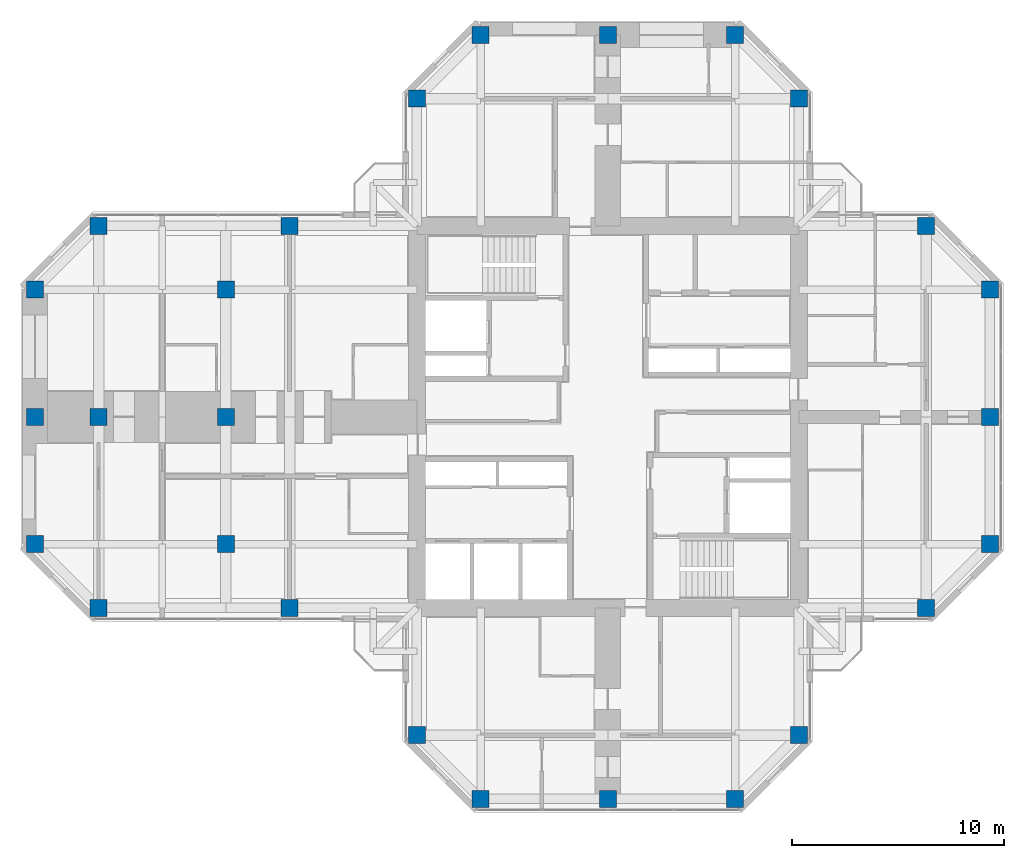
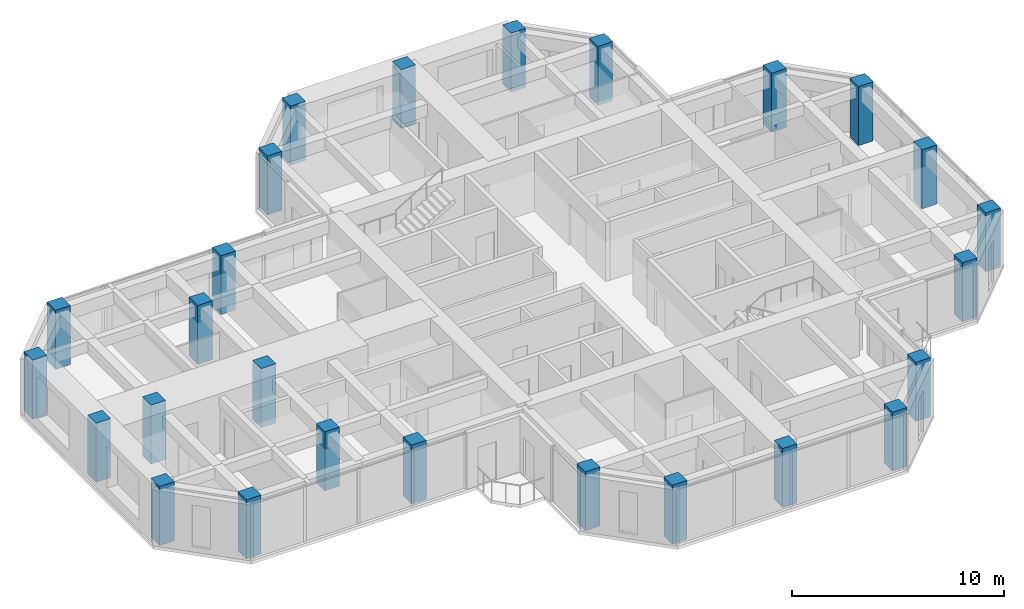
# One storey, part 1 of 13: 26 columns.
"""IFC4 building model written with IfcOpenShell, lengths in metres."""

from ifc_helpers import new_model, si_unit, direction, frame, origin, origin_2d, place, context, subcontext, project, spatial, rectangle, extrude, material, material_profile, profile_set, type_object, element, save


model = new_model("IFC4")

# Units and contexts
model_context = context("Model", 3, precision=1e-05, world=origin(), true_north=direction((0.0, 1.0)))
body_context = subcontext(model_context, "Body", "Model", "MODEL_VIEW")
ifc_project = project(units=[si_unit("LENGTHUNIT", "METRE"), si_unit("AREAUNIT", "SQUARE_METRE"), si_unit("VOLUMEUNIT", "CUBIC_METRE"), si_unit("PLANEANGLEUNIT", "RADIAN"), si_unit("MASSUNIT", "GRAM", prefix="KILO")], contexts=[model_context])

# Site, building, storey
site_placement = place(None, origin())
site = spatial("IfcSite", under=ifc_project, at=site_placement, CompositionType="ELEMENT")
building_placement = place(site_placement, origin())
building = spatial("IfcBuilding", under=site, at=building_placement, Name="Torre Cruceta", CompositionType="ELEMENT")
storey_placement = place(building_placement, frame((0.0, 0.0, 242.5)))
storey = spatial("IfcBuildingStorey", under=building, at=storey_placement, Name="L62", CompositionType="ELEMENT", Elevation=242.5)

# Columns
ifc_material = material(Name="Concrete G60 (fck 60 MPa)", Category="concrete")
ifc_material_profile = material_profile(ifc_material, rectangle(XDim=0.800048828125, YDim=0.800048828125, at=origin_2d()), Name="RC 800X800")
ifc_profile_set = profile_set([ifc_material_profile], Name="Concrete G60 (fck 60 MPa)")
column_type = type_object("IfcColumnType", Name="COLUMN RC 800X800", PredefinedType="COLUMN", material=ifc_profile_set)
for number, where, z_axis, x_axis, name in (
    (1, (9.0, 15.0, 0.0), (0.0, 0.0, 1.0), (1.0, 0.0, 0.0), "C7 L62 N chamfer"),
    (2, (-9.0, 15.0, 0.0), (0.0, 0.0, 1.0), (1.0, 0.0, 0.0), "C7 L62 N chamfer"),
    (3, (6.0, 18.0, 0.0), (0.0, 0.0, 1.0), (1.0, 0.0, 0.0), "C7 L62 N tip"),
    (4, (0.0, 18.0, 0.0), (0.0, 0.0, 1.0), (1.0, 0.0, 0.0), "C7 L62 N tip"),
    (5, (-6.0, 18.0, 0.0), (0.0, 0.0, 1.0), (1.0, 0.0, 0.0), "C7 L62 N tip"),
    (6, (15.0, -9.0, 0.0), (0.0, 0.0, 1.0), (1.0, 0.0, 0.0), "C7 L62 E chamfer"),
    (7, (15.0, 9.0, 0.0), (0.0, 0.0, 1.0), (1.0, 0.0, 0.0), "C7 L62 E chamfer"),
    (8, (18.0, -6.0, 0.0), (0.0, 0.0, 1.0), (1.0, 0.0, 0.0), "C7 L62 E tip"),
    (9, (18.0, 0.0, 0.0), (0.0, 0.0, 1.0), (1.0, 0.0, 0.0), "C7 L62 E tip"),
    (10, (18.0, 6.0, 0.0), (0.0, 0.0, 1.0), (1.0, 0.0, 0.0), "C7 L62 E tip"),
    (11, (-9.0, -15.0, 0.0), (0.0, 0.0, 1.0), (1.0, 0.0, 0.0), "C7 L62 S chamfer"),
    (12, (9.0, -15.0, 0.0), (0.0, 0.0, 1.0), (1.0, 0.0, 0.0), "C7 L62 S chamfer"),
    (13, (-6.0, -18.0, 0.0), (0.0, 0.0, 1.0), (1.0, 0.0, 0.0), "C7 L62 S tip"),
    (14, (0.0, -18.0, 0.0), (0.0, 0.0, 1.0), (1.0, 0.0, 0.0), "C7 L62 S tip"),
    (15, (6.0, -18.0, 0.0), (0.0, 0.0, 1.0), (1.0, 0.0, 0.0), "C7 L62 S tip"),
    (16, (-15.0, 9.0, 0.0), (0.0, 0.0, 1.0), (1.0, 0.0, 0.0), "C7 L62 W side"),
    (17, (-24.0, 9.0, 0.0), (0.0, 0.0, 1.0), (1.0, 0.0, 0.0), "C7 L62 W chamfer"),
    (18, (-15.0, -9.0, 0.0), (0.0, 0.0, 1.0), (1.0, 0.0, 0.0), "C7 L62 W side"),
    (19, (-24.0, -9.0, 0.0), (0.0, 0.0, 1.0), (1.0, 0.0, 0.0), "C7 L62 W chamfer"),
    (20, (-27.0, 6.0, 0.0), (0.0, 0.0, 1.0), (1.0, 0.0, 0.0), "C7 L62 W tip"),
    (21, (-27.0, 0.0, 0.0), (0.0, 0.0, 1.0), (1.0, 0.0, 0.0), "C7 L62 W tip"),
    (22, (-27.0, -6.0, 0.0), (0.0, 0.0, 1.0), (1.0, 0.0, 0.0), "C7 L62 W tip"),
    (23, (-18.0, 6.0, 0.0), (0.0, 0.0, 1.0), (1.0, 0.0, 0.0), "C7 L62 W interior"),
    (24, (-18.0, 0.0, 0.0), (0.0, 0.0, 1.0), (1.0, 0.0, 0.0), "C7 L62 W interior"),
    (25, (-18.0, -6.0, 0.0), (0.0, 0.0, 1.0), (1.0, 0.0, 0.0), "C7 L62 W interior"),
    (26, (-24.0, 0.0, 0.0), (0.0, 0.0, 1.0), (1.0, 0.0, 0.0), "C7 L62 W interior"),
):
    element("IfcColumn", number, at=place(storey_placement, frame(where, z_axis=z_axis, x_axis=x_axis)), inside=storey, type_object=column_type, Name=name, PredefinedType="COLUMN", context=body_context, shape_type="SweptSolid", body=[
        extrude(rectangle(XDim=0.800048828125, YDim=0.800048828125, at=origin_2d()), origin(), (0.0, 0.0, 1.0), 3.39990234375),
    ])

save(model, "model.ifc")
